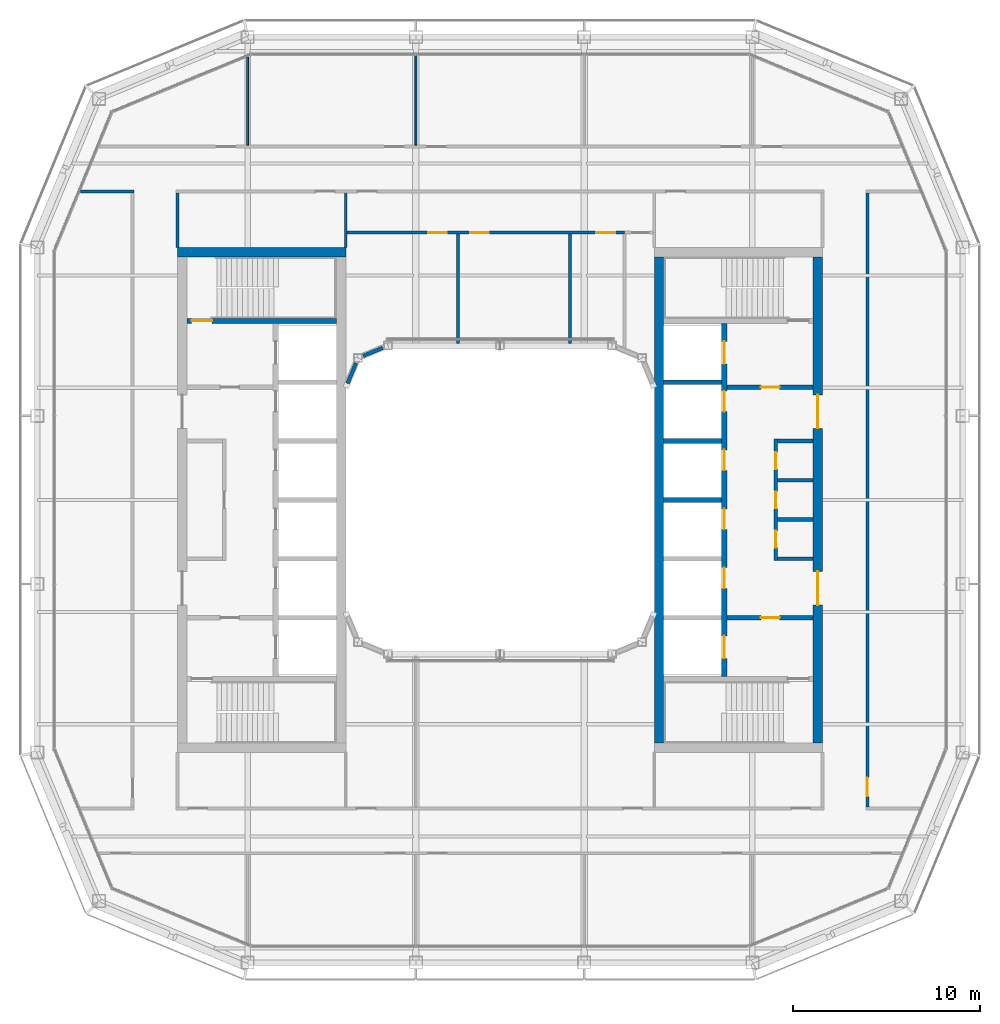
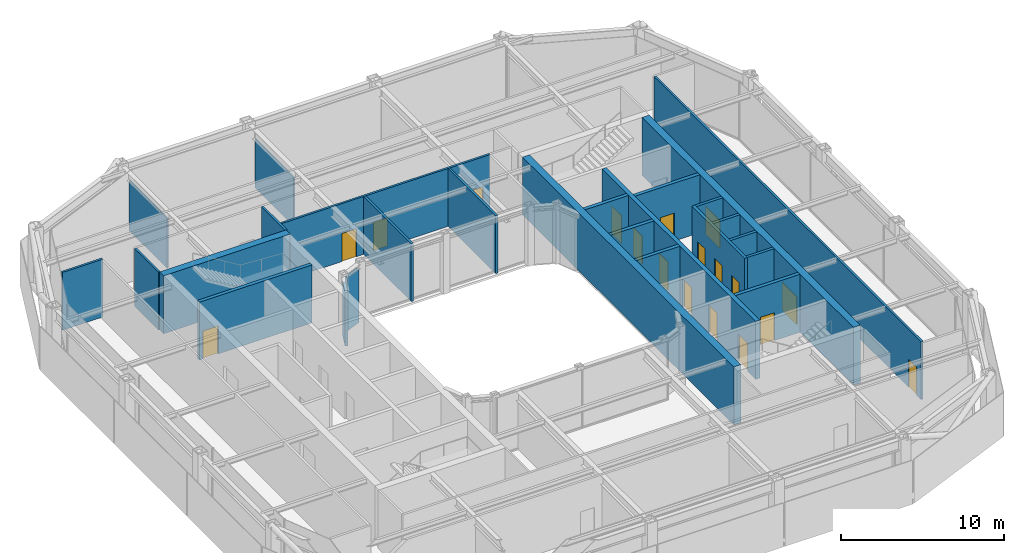
# One storey, part 12 of 18: 26 walls, 18 doors, 18 openings.
"""IFC4 building model written with IfcOpenShell, lengths in metres."""

from ifc_helpers import new_model, si_unit, direction, frame, frame_2d, origin, place, context, subcontext, project, spatial, rectangle, extrude, material, layer, layer_set, type_object, element, fill, save


model = new_model("IFC4")

# Units and contexts
model_context = context("Model", 3, precision=1e-05, world=origin(), true_north=direction((0.0, 1.0)))
body_context = subcontext(model_context, "Body", "Model", "MODEL_VIEW")
ifc_project = project(units=[si_unit("LENGTHUNIT", "METRE"), si_unit("AREAUNIT", "SQUARE_METRE"), si_unit("VOLUMEUNIT", "CUBIC_METRE"), si_unit("PLANEANGLEUNIT", "RADIAN"), si_unit("MASSUNIT", "GRAM", prefix="KILO")], contexts=[model_context])

# Site, building, storey
site_placement = place(None, origin())
site = spatial("IfcSite", under=ifc_project, at=site_placement, CompositionType="ELEMENT")
building_placement = place(site_placement, origin())
building = spatial("IfcBuilding", under=site, at=building_placement, Name="Siwar Civic Tower", CompositionType="ELEMENT")
storey_placement = place(building_placement, frame((0.0, 0.0, 321.199951171875)))
storey = spatial("IfcBuildingStorey", under=building, at=storey_placement, Name="L69", CompositionType="ELEMENT", Elevation=321.199951171875)

# Wall, openings, doors
ifc_material_1 = material(Name="Gypsum board on steel studs", Category="steel")
ifc_layer_1 = layer(ifc_material_1, 0.199951171875)
ifc_layer_set_1 = layer_set([ifc_layer_1], Name="Gypsum board on steel studs")
wall_type_1 = type_object("IfcWallType", Name="CORE-PARTITION-200", PredefinedType="PARTITIONING", material=ifc_layer_set_1)
wall_1_placement = place(storey_placement, frame((14.75, -3.25, 0.0), z_axis=(0.0, 0.0, 1.0), x_axis=(0.0, 1.0, 0.0)))
wall_1 = element("IfcWall", 1, at=wall_1_placement, inside=storey, type_object=wall_type_1, Name="Core partition E", PredefinedType="PARTITIONING", context=body_context, shape_type="SweptSolid", body=[
    extrude(rectangle(XDim=6.5, YDim=0.199951171875, at=frame_2d((3.25, 0.0))), origin(), (0.0, 0.0, 1.0), 4.35009765625),
])
opening_1_placement = place(wall_1_placement, frame((0.699951171875, 0.0, 0.0)))
opening_1 = element("IfcOpeningElement", 2, at=opening_1_placement, cuts=wall_1, Name="Opening L69-CE13", PredefinedType="OPENING", context=body_context, shape_type="SweptSolid", body=[
    extrude(rectangle(XDim=0.89990234375, YDim=2.10009765625, at=frame_2d((0.449951171875, 1.050048828125))), frame((0.0, 0.10986328125, 0.0), z_axis=(0.0, -1.0, 0.0), x_axis=(1.0, 0.0, 0.0)), (0.0, 0.0, 1.0), 0.219970703125),
])
opening_2_placement = place(wall_1_placement, frame((2.800048828125, 0.0, 0.0)))
opening_2 = element("IfcOpeningElement", 3, at=opening_2_placement, cuts=wall_1, Name="Opening L69-CE14", PredefinedType="OPENING", context=body_context, shape_type="SweptSolid", body=[
    extrude(rectangle(XDim=0.89990234375, YDim=2.10009765625, at=frame_2d((0.449951171875, 1.050048828125))), frame((0.0, 0.10986328125, 0.0), z_axis=(0.0, -1.0, 0.0), x_axis=(1.0, 0.0, 0.0)), (0.0, 0.0, 1.0), 0.219970703125),
])
opening_3_placement = place(wall_1_placement, frame((4.89990234375, 0.0, 0.0)))
opening_3 = element("IfcOpeningElement", 4, at=opening_3_placement, cuts=wall_1, Name="Opening L69-CE15", PredefinedType="OPENING", context=body_context, shape_type="SweptSolid", body=[
    extrude(rectangle(XDim=0.89990234375, YDim=2.10009765625, at=frame_2d((0.449951171875, 1.050048828125))), frame((0.0, 0.10986328125, 0.0), z_axis=(0.0, -1.0, 0.0), x_axis=(1.0, 0.0, 0.0)), (0.0, 0.0, 1.0), 0.219970703125),
])
ifc_material_2 = material(Name="Steel door leaf", Category="steel")
door_type_1 = type_object("IfcDoorType", Name="CORE-DOOR-ROOM", OperationType="SINGLE_SWING_LEFT", PredefinedType="DOOR", material=ifc_material_2)
door_1_placement = place(opening_1_placement, origin())
door_1 = element("IfcDoor", 5, at=door_1_placement, inside=storey, type_object=door_type_1, Name="Core room door L69-CE13", OperationType="SINGLE_SWING_LEFT", OverallHeight=2.10009765625, OverallWidth=0.89990234375, PredefinedType="DOOR", context=body_context, shape_type="SweptSolid", body=[
    extrude(rectangle(XDim=0.89990234375, YDim=2.10009765625, at=frame_2d((0.449951171875, 1.050048828125))), frame((0.0, 0.02490234375, 0.0), z_axis=(0.0, -1.0, 0.0), x_axis=(1.0, 0.0, 0.0)), (0.0, 0.0, 1.0), 0.050048828125),
])
fill(opening_1, door_1)
door_2_placement = place(opening_2_placement, origin())
door_2 = element("IfcDoor", 6, at=door_2_placement, inside=storey, type_object=door_type_1, Name="Core room door L69-CE14", OperationType="SINGLE_SWING_LEFT", OverallHeight=2.10009765625, OverallWidth=0.89990234375, PredefinedType="DOOR", context=body_context, shape_type="SweptSolid", body=[
    extrude(rectangle(XDim=0.89990234375, YDim=2.10009765625, at=frame_2d((0.449951171875, 1.050048828125))), frame((0.0, 0.02490234375, 0.0), z_axis=(0.0, -1.0, 0.0), x_axis=(1.0, 0.0, 0.0)), (0.0, 0.0, 1.0), 0.050048828125),
])
fill(opening_2, door_2)
door_3_placement = place(opening_3_placement, origin())
door_3 = element("IfcDoor", 7, at=door_3_placement, inside=storey, type_object=door_type_1, Name="Core room door L69-CE15", OperationType="SINGLE_SWING_LEFT", OverallHeight=2.10009765625, OverallWidth=0.89990234375, PredefinedType="DOOR", context=body_context, shape_type="SweptSolid", body=[
    extrude(rectangle(XDim=0.89990234375, YDim=2.10009765625, at=frame_2d((0.449951171875, 1.050048828125))), frame((0.0, 0.02490234375, 0.0), z_axis=(0.0, -1.0, 0.0), x_axis=(1.0, 0.0, 0.0)), (0.0, 0.0, 1.0), 0.050048828125),
])
fill(opening_3, door_3)

# Walls
for number, where, z_axis, x_axis, name in (
    (8, (14.85009765625, 3.14990234375, 0.0), (0.0, 0.0, 1.0), (1.0, 0.0, 0.0), "Core partition E"),
    (9, (14.85009765625, -3.14990234375, 0.0), (0.0, 0.0, 1.0), (1.0, 0.0, 0.0), "Core partition E"),
    (10, (14.85009765625, -1.050048828125, 0.0), (0.0, 0.0, 1.0), (1.0, 0.0, 0.0), "Core partition E"),
    (11, (14.85009765625, 1.050048828125, 0.0), (0.0, 0.0, 1.0), (1.0, 0.0, 0.0), "Core partition E"),
):
    element("IfcWall", number, at=place(storey_placement, frame(where, z_axis=z_axis, x_axis=x_axis)), inside=storey, type_object=wall_type_1, Name=name, PredefinedType="PARTITIONING", context=body_context, shape_type="SweptSolid", body=[
        extrude(rectangle(XDim=1.89990234375, YDim=0.199951171875, at=frame_2d((0.949951171875, 0.0))), origin(), (0.0, 0.0, 1.0), 4.35009765625),
    ])

# Wall, opening, door
ifc_material_3 = material(Name="Concrete C60/75", Category="concrete")
ifc_layer_2 = layer(ifc_material_3, 0.25)
ifc_layer_set_2 = layer_set([ifc_layer_2], Name="Concrete C60/75")
wall_type_2 = type_object("IfcWallType", Name="CORE-WALL-RC250", PredefinedType="SHEAR", material=ifc_layer_set_2)
wall_2_placement = place(storey_placement, frame((-8.75, 9.574951171875, 0.0), z_axis=(0.0, 0.0, 1.0), x_axis=(-1.0, 0.0, 0.0)))
wall_2 = element("IfcWall", 12, at=wall_2_placement, inside=storey, type_object=wall_type_2, Name="Core wall W", PredefinedType="SHEAR", context=body_context, shape_type="SweptSolid", body=[
    extrude(rectangle(XDim=8.0, YDim=0.25, at=frame_2d((4.0, 0.0))), origin(), (0.0, 0.0, 1.0), 4.35009765625),
])
opening_4_placement = place(wall_2_placement, frame((6.64990234375, 0.0, 0.0)))
opening_4 = element("IfcOpeningElement", 13, at=opening_4_placement, cuts=wall_2, Name="Opening L69-CW03", PredefinedType="OPENING", context=body_context, shape_type="SweptSolid", body=[
    extrude(rectangle(XDim=1.10009765625, YDim=2.10009765625, at=frame_2d((0.550048828125, 1.050048828125))), frame((0.0, 0.135009765625, 0.0), z_axis=(0.0, -1.0, 0.0), x_axis=(1.0, 0.0, 0.0)), (0.0, 0.0, 1.0), 0.27001953125),
])
ifc_material_4 = material(Name="Steel door leaf", Category="steel")
door_type_2 = type_object("IfcDoorType", Name="CORE-DOOR-FD60S", OperationType="SINGLE_SWING_LEFT", PredefinedType="DOOR", material=ifc_material_4)
door_4_placement = place(opening_4_placement, origin())
door_4 = element("IfcDoor", 14, at=door_4_placement, inside=storey, type_object=door_type_2, Name="Stair door L69-CW03", OperationType="SINGLE_SWING_RIGHT", OverallHeight=2.10009765625, OverallWidth=1.10009765625, PredefinedType="DOOR", context=body_context, shape_type="SweptSolid", body=[
    extrude(rectangle(XDim=1.10009765625, YDim=2.10009765625, at=frame_2d((0.550048828125, 1.050048828125))), frame((0.0, 0.02490234375, 0.0), z_axis=(0.0, -1.0, 0.0), x_axis=(1.0, 0.0, 0.0)), (0.0, 0.0, 1.0), 0.050048828125),
])
fill(opening_4, door_4)

wall_3_placement = place(storey_placement, frame((12.14990234375, 6.02490234375, 0.0), z_axis=(0.0, 0.0, 1.0), x_axis=(1.0, 0.0, 0.0)))
wall_3 = element("IfcWall", 15, at=wall_3_placement, inside=storey, type_object=wall_type_2, Name="Core wall E", PredefinedType="SHEAR", context=body_context, shape_type="SweptSolid", body=[
    extrude(rectangle(XDim=4.60009765625, YDim=0.25, at=frame_2d((2.300048828125, 0.0))), origin(), (0.0, 0.0, 1.0), 4.35009765625),
])
opening_5_placement = place(wall_3_placement, frame((1.800048828125, 0.0, 0.0)))
opening_5 = element("IfcOpeningElement", 16, at=opening_5_placement, cuts=wall_3, Name="Opening L69-CE01", PredefinedType="OPENING", context=body_context, shape_type="SweptSolid", body=[
    extrude(rectangle(XDim=1.0, YDim=2.10009765625, at=frame_2d((0.5, 1.050048828125))), frame((0.0, 0.135009765625, 0.0), z_axis=(0.0, -1.0, 0.0), x_axis=(1.0, 0.0, 0.0)), (0.0, 0.0, 1.0), 0.27001953125),
])
ifc_material_5 = material(Name="Steel door leaf", Category="steel")
door_type_3 = type_object("IfcDoorType", Name="CORE-DOOR-FD30S", OperationType="SINGLE_SWING_LEFT", PredefinedType="DOOR", material=ifc_material_5)
door_5_placement = place(opening_5_placement, origin())
door_5 = element("IfcDoor", 17, at=door_5_placement, inside=storey, type_object=door_type_3, Name="Firefighting lobby door L69-CE01", OperationType="SINGLE_SWING_RIGHT", OverallHeight=2.10009765625, OverallWidth=1.0, PredefinedType="DOOR", context=body_context, shape_type="SweptSolid", body=[
    extrude(rectangle(XDim=1.0, YDim=2.10009765625, at=frame_2d((0.5, 1.050048828125))), frame((0.0, 0.02490234375, 0.0), z_axis=(0.0, -1.0, 0.0), x_axis=(1.0, 0.0, 0.0)), (0.0, 0.0, 1.0), 0.050048828125),
])
fill(opening_5, door_5)

wall_4_placement = place(storey_placement, frame((12.14990234375, -6.300048828125, 0.0), z_axis=(0.0, 0.0, 1.0), x_axis=(1.0, 0.0, 0.0)))
wall_4 = element("IfcWall", 18, at=wall_4_placement, inside=storey, type_object=wall_type_2, Name="Core wall E", PredefinedType="SHEAR", context=body_context, shape_type="SweptSolid", body=[
    extrude(rectangle(XDim=4.60009765625, YDim=0.25, at=frame_2d((2.300048828125, 0.0))), origin(), (0.0, 0.0, 1.0), 4.35009765625),
])
opening_6_placement = place(wall_4_placement, frame((1.800048828125, 0.0, 0.0)))
opening_6 = element("IfcOpeningElement", 19, at=opening_6_placement, cuts=wall_4, Name="Opening L69-CE02", PredefinedType="OPENING", context=body_context, shape_type="SweptSolid", body=[
    extrude(rectangle(XDim=1.0, YDim=2.10009765625, at=frame_2d((0.5, 1.050048828125))), frame((0.0, 0.135009765625, 0.0), z_axis=(0.0, -1.0, 0.0), x_axis=(1.0, 0.0, 0.0)), (0.0, 0.0, 1.0), 0.27001953125),
])
door_6_placement = place(opening_6_placement, origin())
door_6 = element("IfcDoor", 20, at=door_6_placement, inside=storey, type_object=door_type_3, Name="Service lobby door L69-CE02", OperationType="SINGLE_SWING_LEFT", OverallHeight=2.10009765625, OverallWidth=1.0, PredefinedType="DOOR", context=body_context, shape_type="SweptSolid", body=[
    extrude(rectangle(XDim=1.0, YDim=2.10009765625, at=frame_2d((0.5, 1.050048828125))), frame((0.0, 0.02490234375, 0.0), z_axis=(0.0, -1.0, 0.0), x_axis=(1.0, 0.0, 0.0)), (0.0, 0.0, 1.0), 0.050048828125),
])
fill(opening_6, door_6)

# Walls
for number, where, z_axis, x_axis, name in (
    (21, (8.75, 0.0, 0.0), (0.0, 0.0, 1.0), (1.0, 0.0, 0.0), "Core wall E"),
    (22, (8.75, 3.14990234375, 0.0), (0.0, 0.0, 1.0), (1.0, 0.0, 0.0), "Core wall E"),
    (23, (8.75, 6.300048828125, 0.0), (0.0, 0.0, 1.0), (1.0, 0.0, 0.0), "Core wall E"),
):
    element("IfcWall", number, at=place(storey_placement, frame(where, z_axis=z_axis, x_axis=x_axis)), inside=storey, type_object=wall_type_2, Name=name, PredefinedType="SHEAR", context=body_context, shape_type="SweptSolid", body=[
        extrude(rectangle(XDim=3.10009765625, YDim=0.25, at=frame_2d((1.550048828125, 0.0))), origin(), (0.0, 0.0, 1.0), 4.35009765625),
    ])

# Wall, openings, doors
ifc_material_6 = material(Name="Concrete C60/75", Category="concrete")
ifc_layer_3 = layer(ifc_material_6, 0.300048828125)
ifc_layer_set_3 = layer_set([ifc_layer_3], Name="Concrete C60/75")
wall_type_3 = type_object("IfcWallType", Name="CORE-WALL-RC300", PredefinedType="SHEAR", material=ifc_layer_set_3)
wall_5_placement = place(storey_placement, frame((12.0, -9.449951171875, 0.0), z_axis=(0.0, 0.0, 1.0), x_axis=(0.0, 1.0, 0.0)))
wall_5 = element("IfcWall", 24, at=wall_5_placement, inside=storey, type_object=wall_type_3, Name="Core wall E", PredefinedType="SHEAR", context=body_context, shape_type="SweptSolid", body=[
    extrude(rectangle(XDim=18.89990234375, YDim=0.300048828125, at=frame_2d((9.449951171875, 0.0))), origin(), (0.0, 0.0, 1.0), 4.35009765625),
])
opening_7_placement = place(wall_5_placement, frame((4.72509765625, 0.0, 0.0)))
opening_7 = element("IfcOpeningElement", 25, at=opening_7_placement, cuts=wall_5, Name="Opening L69-CE07", PredefinedType="OPENING", context=body_context, shape_type="SweptSolid", body=[
    extrude(rectangle(XDim=1.10009765625, YDim=2.10009765625, at=frame_2d((0.550048828125, 1.050048828125))), frame((0.0, 0.16015625, 0.0), z_axis=(0.0, -1.0, 0.0), x_axis=(1.0, 0.0, 0.0)), (0.0, 0.0, 1.0), 0.320068359375),
])
opening_8_placement = place(wall_5_placement, frame((7.875, 0.0, 0.0)))
opening_8 = element("IfcOpeningElement", 26, at=opening_8_placement, cuts=wall_5, Name="Opening L69-CE08", PredefinedType="OPENING", context=body_context, shape_type="SweptSolid", body=[
    extrude(rectangle(XDim=1.10009765625, YDim=2.10009765625, at=frame_2d((0.550048828125, 1.050048828125))), frame((0.0, 0.16015625, 0.0), z_axis=(0.0, -1.0, 0.0), x_axis=(1.0, 0.0, 0.0)), (0.0, 0.0, 1.0), 0.320068359375),
])
opening_9_placement = place(wall_5_placement, frame((11.02490234375, 0.0, 0.0)))
opening_9 = element("IfcOpeningElement", 27, at=opening_9_placement, cuts=wall_5, Name="Opening L69-CE09", PredefinedType="OPENING", context=body_context, shape_type="SweptSolid", body=[
    extrude(rectangle(XDim=1.10009765625, YDim=2.10009765625, at=frame_2d((0.550048828125, 1.050048828125))), frame((0.0, 0.16015625, 0.0), z_axis=(0.0, -1.0, 0.0), x_axis=(1.0, 0.0, 0.0)), (0.0, 0.0, 1.0), 0.320068359375),
])
opening_10_placement = place(wall_5_placement, frame((14.175048828125, 0.0, 0.0)))
opening_10 = element("IfcOpeningElement", 28, at=opening_10_placement, cuts=wall_5, Name="Opening L69-CE10", PredefinedType="OPENING", context=body_context, shape_type="SweptSolid", body=[
    extrude(rectangle(XDim=1.10009765625, YDim=2.10009765625, at=frame_2d((0.550048828125, 1.050048828125))), frame((0.0, 0.16015625, 0.0), z_axis=(0.0, -1.0, 0.0), x_axis=(1.0, 0.0, 0.0)), (0.0, 0.0, 1.0), 0.320068359375),
])
opening_11_placement = place(wall_5_placement, frame((16.72509765625, 0.0, 0.0)))
opening_11 = element("IfcOpeningElement", 29, at=opening_11_placement, cuts=wall_5, Name="Opening L69-CE11", PredefinedType="OPENING", context=body_context, shape_type="SweptSolid", body=[
    extrude(rectangle(XDim=1.199951171875, YDim=2.10009765625, at=frame_2d((0.60009765625, 1.050048828125))), frame((0.0, 0.16015625, 0.0), z_axis=(0.0, -1.0, 0.0), x_axis=(1.0, 0.0, 0.0)), (0.0, 0.0, 1.0), 0.320068359375),
])
opening_12_placement = place(wall_5_placement, frame((0.97509765625, 0.0, 0.0)))
opening_12 = element("IfcOpeningElement", 30, at=opening_12_placement, cuts=wall_5, Name="Opening L69-CE12", PredefinedType="OPENING", context=body_context, shape_type="SweptSolid", body=[
    extrude(rectangle(XDim=1.199951171875, YDim=2.10009765625, at=frame_2d((0.60009765625, 1.050048828125))), frame((0.0, 0.16015625, 0.0), z_axis=(0.0, -1.0, 0.0), x_axis=(1.0, 0.0, 0.0)), (0.0, 0.0, 1.0), 0.320068359375),
])
ifc_material_7 = material(Name="Steel door leaf", Category="steel")
door_type_4 = type_object("IfcDoorType", Name="CORE-DOOR-LD", OperationType="DOUBLE_DOOR_SLIDING", PredefinedType="DOOR", material=ifc_material_7)
door_7_placement = place(opening_7_placement, origin())
door_7 = element("IfcDoor", 31, at=door_7_placement, inside=storey, type_object=door_type_4, Name="Landing door HR5 L69-CE07", OperationType="DOUBLE_DOOR_SLIDING", OverallHeight=2.10009765625, OverallWidth=1.10009765625, PredefinedType="DOOR", context=body_context, shape_type="SweptSolid", body=[
    extrude(rectangle(XDim=1.10009765625, YDim=2.10009765625, at=frame_2d((0.550048828125, 1.050048828125))), frame((0.0, 0.02490234375, 0.0), z_axis=(0.0, -1.0, 0.0), x_axis=(1.0, 0.0, 0.0)), (0.0, 0.0, 1.0), 0.050048828125),
])
fill(opening_7, door_7)
door_8_placement = place(opening_8_placement, origin())
door_8 = element("IfcDoor", 32, at=door_8_placement, inside=storey, type_object=door_type_4, Name="Landing door HR6 L69-CE08", OperationType="DOUBLE_DOOR_SLIDING", OverallHeight=2.10009765625, OverallWidth=1.10009765625, PredefinedType="DOOR", context=body_context, shape_type="SweptSolid", body=[
    extrude(rectangle(XDim=1.10009765625, YDim=2.10009765625, at=frame_2d((0.550048828125, 1.050048828125))), frame((0.0, 0.02490234375, 0.0), z_axis=(0.0, -1.0, 0.0), x_axis=(1.0, 0.0, 0.0)), (0.0, 0.0, 1.0), 0.050048828125),
])
fill(opening_8, door_8)
door_9_placement = place(opening_9_placement, origin())
door_9 = element("IfcDoor", 33, at=door_9_placement, inside=storey, type_object=door_type_4, Name="Landing door HR7 L69-CE09", OperationType="DOUBLE_DOOR_SLIDING", OverallHeight=2.10009765625, OverallWidth=1.10009765625, PredefinedType="DOOR", context=body_context, shape_type="SweptSolid", body=[
    extrude(rectangle(XDim=1.10009765625, YDim=2.10009765625, at=frame_2d((0.550048828125, 1.050048828125))), frame((0.0, 0.02490234375, 0.0), z_axis=(0.0, -1.0, 0.0), x_axis=(1.0, 0.0, 0.0)), (0.0, 0.0, 1.0), 0.050048828125),
])
fill(opening_9, door_9)
door_10_placement = place(opening_10_placement, origin())
door_10 = element("IfcDoor", 34, at=door_10_placement, inside=storey, type_object=door_type_4, Name="Landing door HR8 L69-CE10", OperationType="DOUBLE_DOOR_SLIDING", OverallHeight=2.10009765625, OverallWidth=1.10009765625, PredefinedType="DOOR", context=body_context, shape_type="SweptSolid", body=[
    extrude(rectangle(XDim=1.10009765625, YDim=2.10009765625, at=frame_2d((0.550048828125, 1.050048828125))), frame((0.0, 0.02490234375, 0.0), z_axis=(0.0, -1.0, 0.0), x_axis=(1.0, 0.0, 0.0)), (0.0, 0.0, 1.0), 0.050048828125),
])
fill(opening_10, door_10)
ifc_material_8 = material(Name="Steel door leaf", Category="steel")
door_type_5 = type_object("IfcDoorType", Name="CORE-DOOR-LDW", OperationType="DOUBLE_DOOR_SLIDING", PredefinedType="DOOR", material=ifc_material_8)
door_11_placement = place(opening_11_placement, origin())
door_11 = element("IfcDoor", 35, at=door_11_placement, inside=storey, type_object=door_type_5, Name="Landing door FF2 L69-CE11", OperationType="DOUBLE_DOOR_SLIDING", OverallHeight=2.10009765625, OverallWidth=1.199951171875, PredefinedType="DOOR", context=body_context, shape_type="SweptSolid", body=[
    extrude(rectangle(XDim=1.199951171875, YDim=2.10009765625, at=frame_2d((0.60009765625, 1.050048828125))), frame((0.0, 0.02490234375, 0.0), z_axis=(0.0, -1.0, 0.0), x_axis=(1.0, 0.0, 0.0)), (0.0, 0.0, 1.0), 0.050048828125),
])
fill(opening_11, door_11)
door_12_placement = place(opening_12_placement, origin())
door_12 = element("IfcDoor", 36, at=door_12_placement, inside=storey, type_object=door_type_5, Name="Landing door SV2 L69-CE12", OperationType="DOUBLE_DOOR_SLIDING", OverallHeight=2.10009765625, OverallWidth=1.199951171875, PredefinedType="DOOR", context=body_context, shape_type="SweptSolid", body=[
    extrude(rectangle(XDim=1.199951171875, YDim=2.10009765625, at=frame_2d((0.60009765625, 1.050048828125))), frame((0.0, 0.02490234375, 0.0), z_axis=(0.0, -1.0, 0.0), x_axis=(1.0, 0.0, 0.0)), (0.0, 0.0, 1.0), 0.050048828125),
])
fill(opening_12, door_12)

# Wall
ifc_material_9 = material(Name="Concrete C60/75", Category="concrete")
ifc_layer_4 = layer(ifc_material_9, 0.5)
ifc_layer_set_4 = layer_set([ifc_layer_4], Name="Concrete C60/75")
wall_type_4 = type_object("IfcWallType", Name="CORE-WALL-RC500", PredefinedType="SHEAR", material=ifc_layer_set_4)
wall_6_placement = place(storey_placement, frame((-8.25, 13.25, 0.0), z_axis=(0.0, 0.0, 1.0), x_axis=(-1.0, 0.0, 0.0)))
element("IfcWall", 37, at=wall_6_placement, inside=storey, type_object=wall_type_4, Name="Core wall W", PredefinedType="SHEAR", context=body_context, shape_type="SweptSolid", body=[
    extrude(rectangle(XDim=9.0, YDim=0.5, at=frame_2d((4.5, 0.0))), origin(), (0.0, 0.0, 1.0), 4.35009765625),
])

# Wall, openings, doors
wall_7_placement = place(storey_placement, frame((17.0, -13.0, 0.0), z_axis=(0.0, 0.0, 1.0), x_axis=(0.0, 1.0, 0.0)))
wall_7 = element("IfcWall", 38, at=wall_7_placement, inside=storey, type_object=wall_type_4, Name="Core wall E", PredefinedType="SHEAR", context=body_context, shape_type="SweptSolid", body=[
    extrude(rectangle(XDim=26.0, YDim=0.5, at=frame_2d((13.0, 0.0))), origin(), (0.0, 0.0, 1.0), 4.35009765625),
])
opening_13_placement = place(wall_7_placement, frame((16.824951171875, 0.0, 0.0)))
opening_13 = element("IfcOpeningElement", 39, at=opening_13_placement, cuts=wall_7, Name="Opening L69-CE05", PredefinedType="OPENING", context=body_context, shape_type="SweptSolid", body=[
    extrude(rectangle(XDim=1.800048828125, YDim=2.10009765625, at=frame_2d((0.89990234375, 1.050048828125))), frame((0.0, 0.260009765625, 0.0), z_axis=(0.0, -1.0, 0.0), x_axis=(1.0, 0.0, 0.0)), (0.0, 0.0, 1.0), 0.52001953125),
])
opening_14_placement = place(wall_7_placement, frame((7.375, 0.0, 0.0)))
opening_14 = element("IfcOpeningElement", 40, at=opening_14_placement, cuts=wall_7, Name="Opening L69-CE06", PredefinedType="OPENING", context=body_context, shape_type="SweptSolid", body=[
    extrude(rectangle(XDim=1.800048828125, YDim=2.10009765625, at=frame_2d((0.89990234375, 1.050048828125))), frame((0.0, 0.260009765625, 0.0), z_axis=(0.0, -1.0, 0.0), x_axis=(1.0, 0.0, 0.0)), (0.0, 0.0, 1.0), 0.52001953125),
])
ifc_material_10 = material(Name="Steel door leaf", Category="steel")
door_type_6 = type_object("IfcDoorType", Name="CORE-DOOR-PORT", OperationType="DOUBLE_DOOR_DOUBLE_SWING", PredefinedType="DOOR", material=ifc_material_10)
door_13_placement = place(opening_13_placement, origin())
door_13 = element("IfcDoor", 41, at=door_13_placement, inside=storey, type_object=door_type_6, Name="Core entrance door L69-CE05", OperationType="DOUBLE_DOOR_DOUBLE_SWING", OverallHeight=2.10009765625, OverallWidth=1.800048828125, PredefinedType="DOOR", context=body_context, shape_type="SweptSolid", body=[
    extrude(rectangle(XDim=1.800048828125, YDim=2.10009765625, at=frame_2d((0.89990234375, 1.050048828125))), frame((0.0, 0.02490234375, 0.0), z_axis=(0.0, -1.0, 0.0), x_axis=(1.0, 0.0, 0.0)), (0.0, 0.0, 1.0), 0.050048828125),
])
fill(opening_13, door_13)
door_14_placement = place(opening_14_placement, origin())
door_14 = element("IfcDoor", 42, at=door_14_placement, inside=storey, type_object=door_type_6, Name="Core entrance door L69-CE06", OperationType="DOUBLE_DOOR_DOUBLE_SWING", OverallHeight=2.10009765625, OverallWidth=1.800048828125, PredefinedType="DOOR", context=body_context, shape_type="SweptSolid", body=[
    extrude(rectangle(XDim=1.800048828125, YDim=2.10009765625, at=frame_2d((0.89990234375, 1.050048828125))), frame((0.0, 0.02490234375, 0.0), z_axis=(0.0, -1.0, 0.0), x_axis=(1.0, 0.0, 0.0)), (0.0, 0.0, 1.0), 0.050048828125),
])
fill(opening_14, door_14)

# Wall
ifc_material_11 = material(Name="Concrete C60/75", Category="concrete")
ifc_layer_5 = layer(ifc_material_11, 0.5)
ifc_layer_set_5 = layer_set([ifc_layer_5], Name="Concrete C60/75")
wall_type_5 = type_object("IfcWallType", Name="CORE-WALL-RC500-EXT", PredefinedType="SHEAR", material=ifc_layer_set_5)
wall_8_placement = place(storey_placement, frame((8.5, -13.0, 0.0), z_axis=(0.0, 0.0, 1.0), x_axis=(0.0, 1.0, 0.0)))
element("IfcWall", 43, at=wall_8_placement, inside=storey, type_object=wall_type_5, Name="Core wall E", PredefinedType="SHEAR", context=body_context, shape_type="SweptSolid", body=[
    extrude(rectangle(XDim=26.0, YDim=0.5, at=frame_2d((13.0, 0.0))), origin(), (0.0, 0.0, 1.0), 4.35009765625),
])

# Wall, openings, doors
ifc_material_12 = material(Name="Gypsum board on steel studs", Category="steel")
ifc_layer_6 = layer(ifc_material_12, 0.14990234375)
ifc_layer_set_6 = layer_set([ifc_layer_6], Name="Gypsum board on steel studs")
wall_type_6 = type_object("IfcWallType", Name="CORRIDOR PARTITION 150 EI 30", PredefinedType="PARTITIONING", material=ifc_layer_set_6)
wall_9_placement = place(storey_placement, frame((-8.175048828125, 14.300048828125, 0.0), z_axis=(0.0, 0.0, 1.0), x_axis=(1.0, 0.0, 0.0)))
wall_9 = element("IfcWall", 44, at=wall_9_placement, inside=storey, type_object=wall_type_6, Name="L69/wall/P05", PredefinedType="PARTITIONING", context=body_context, shape_type="SweptSolid", body=[
    extrude(rectangle(XDim=14.8349609375, YDim=0.14990234375, at=frame_2d((7.41748046875, 0.0))), origin(), (0.0, 0.0, 1.0), 4.35009765625),
])
opening_15_placement = place(wall_9_placement, frame((4.324951171875, 0.0, 0.0)))
opening_15 = element("IfcOpeningElement", 45, at=opening_15_placement, cuts=wall_9, Name="Opening D3", PredefinedType="OPENING", context=body_context, shape_type="SweptSolid", body=[
    extrude(rectangle(XDim=1.0, YDim=2.10009765625, at=frame_2d((0.5, 1.050048828125))), frame((0.0, 0.0849609375, 0.0), z_axis=(0.0, -1.0, 0.0), x_axis=(1.0, 0.0, 0.0)), (0.0, 0.0, 1.0), 0.169921875),
])
opening_16_placement = place(wall_9_placement, frame((6.574951171875, 0.0, 0.0)))
opening_16 = element("IfcOpeningElement", 46, at=opening_16_placement, cuts=wall_9, Name="Opening D3", PredefinedType="OPENING", context=body_context, shape_type="SweptSolid", body=[
    extrude(rectangle(XDim=1.0, YDim=2.10009765625, at=frame_2d((0.5, 1.050048828125))), frame((0.0, 0.0849609375, 0.0), z_axis=(0.0, -1.0, 0.0), x_axis=(1.0, 0.0, 0.0)), (0.0, 0.0, 1.0), 0.169921875),
])
opening_17_placement = place(wall_9_placement, frame((13.324951171875, 0.0, 0.0)))
opening_17 = element("IfcOpeningElement", 47, at=opening_17_placement, cuts=wall_9, Name="Opening D3", PredefinedType="OPENING", context=body_context, shape_type="SweptSolid", body=[
    extrude(rectangle(XDim=1.0, YDim=2.10009765625, at=frame_2d((0.5, 1.050048828125))), frame((0.0, 0.0849609375, 0.0), z_axis=(0.0, -1.0, 0.0), x_axis=(1.0, 0.0, 0.0)), (0.0, 0.0, 1.0), 0.169921875),
])
ifc_material_13 = material(Name="Timber, painted", Category="wood")
door_type_7 = type_object("IfcDoorType", Name="DOOR 1000 X 2100 WC", OperationType="SINGLE_SWING_LEFT", PredefinedType="DOOR", material=ifc_material_13)
door_15_placement = place(opening_15_placement, origin())
door_15 = element("IfcDoor", 48, at=door_15_placement, inside=storey, type_object=door_type_7, Name="L69-D12", OperationType="SINGLE_SWING_RIGHT", OverallHeight=2.10009765625, OverallWidth=1.0, PredefinedType="DOOR", context=body_context, shape_type="SweptSolid", body=[
    extrude(rectangle(XDim=1.0, YDim=2.10009765625, at=frame_2d((0.5, 1.050048828125))), frame((0.0, 0.02490234375, 0.0), z_axis=(0.0, -1.0, 0.0), x_axis=(1.0, 0.0, 0.0)), (0.0, 0.0, 1.0), 0.050048828125),
])
fill(opening_15, door_15)
door_16_placement = place(opening_16_placement, origin())
door_16 = element("IfcDoor", 49, at=door_16_placement, inside=storey, type_object=door_type_7, Name="L69-D13", OperationType="SINGLE_SWING_LEFT", OverallHeight=2.10009765625, OverallWidth=1.0, PredefinedType="DOOR", context=body_context, shape_type="SweptSolid", body=[
    extrude(rectangle(XDim=1.0, YDim=2.10009765625, at=frame_2d((0.5, 1.050048828125))), frame((0.0, 0.02490234375, 0.0), z_axis=(0.0, -1.0, 0.0), x_axis=(1.0, 0.0, 0.0)), (0.0, 0.0, 1.0), 0.050048828125),
])
fill(opening_16, door_16)
door_17_placement = place(opening_17_placement, origin())
door_17 = element("IfcDoor", 50, at=door_17_placement, inside=storey, type_object=door_type_7, Name="L69-D14", OperationType="SINGLE_SWING_RIGHT", OverallHeight=2.10009765625, OverallWidth=1.0, PredefinedType="DOOR", context=body_context, shape_type="SweptSolid", body=[
    extrude(rectangle(XDim=1.0, YDim=2.10009765625, at=frame_2d((0.5, 1.050048828125))), frame((0.0, 0.02490234375, 0.0), z_axis=(0.0, -1.0, 0.0), x_axis=(1.0, 0.0, 0.0)), (0.0, 0.0, 1.0), 0.050048828125),
])
fill(opening_17, door_17)

# Walls
wall_10_placement = place(storey_placement, frame((-22.43603515625, 16.5, 0.0), z_axis=(0.0, 0.0, 1.0), x_axis=(1.0, 0.0, 0.0)))
element("IfcWall", 51, at=wall_10_placement, inside=storey, type_object=wall_type_6, Name="L69/wall/P07", PredefinedType="PARTITIONING", context=body_context, shape_type="SweptSolid", body=[
    extrude(rectangle(XDim=2.861083984375, YDim=0.14990234375, at=frame_2d((1.4306640625, 0.0))), origin(), (0.0, 0.0, 1.0), 4.35009765625),
])
for number, where, z_axis, x_axis, name in (
    (52, (-17.25, 13.5, 0.0), (0.0, 0.0, 1.0), (0.0, 1.0, 0.0), "L69/wall/P13"),
    (53, (-8.25, 13.5, 0.0), (0.0, 0.0, 1.0), (0.0, 1.0, 0.0), "L69/wall/P17"),
):
    element("IfcWall", number, at=place(storey_placement, frame(where, z_axis=z_axis, x_axis=x_axis)), inside=storey, type_object=wall_type_6, Name=name, PredefinedType="PARTITIONING", context=body_context, shape_type="SweptSolid", body=[
        extrude(rectangle(XDim=2.925048828125, YDim=0.14990234375, at=frame_2d((1.46240234375, 0.0))), origin(), (0.0, 0.0, 1.0), 4.35009765625),
    ])
for number, where, z_axis, x_axis, name in (
    (54, (-2.25, 8.3701171875, 0.0), (0.0, 0.0, 1.0), (0.0, 1.0, 0.0), "L69/wall/P21"),
    (55, (3.75, 8.3701171875, 0.0), (0.0, 0.0, 1.0), (0.0, 1.0, 0.0), "L69/wall/P22"),
):
    element("IfcWall", number, at=place(storey_placement, frame(where, z_axis=z_axis, x_axis=x_axis)), inside=storey, type_object=wall_type_6, Name=name, PredefinedType="PARTITIONING", context=body_context, shape_type="SweptSolid", body=[
        extrude(rectangle(XDim=5.85498046875, YDim=0.14990234375, at=frame_2d((2.927490234375, 0.0))), origin(), (0.0, 0.0, 1.0), 4.35009765625),
    ])

# Wall, opening, door
wall_11_placement = place(storey_placement, frame((19.64990234375, -16.425048828125, 0.0), z_axis=(0.0, 0.0, 1.0), x_axis=(0.0, 1.0, 0.0)))
wall_11 = element("IfcWall", 56, at=wall_11_placement, inside=storey, type_object=wall_type_6, Name="L69/wall/P33", PredefinedType="PARTITIONING", context=body_context, shape_type="SweptSolid", body=[
    extrude(rectangle(XDim=32.85009765625, YDim=0.14990234375, at=frame_2d((16.425048828125, 0.0))), origin(), (0.0, 0.0, 1.0), 4.35009765625),
])
opening_18_placement = place(wall_11_placement, frame((0.574951171875, 0.0, 0.0)))
opening_18 = element("IfcOpeningElement", 57, at=opening_18_placement, cuts=wall_11, Name="Opening D1", PredefinedType="OPENING", context=body_context, shape_type="SweptSolid", body=[
    extrude(rectangle(XDim=1.0, YDim=2.10009765625, at=frame_2d((0.5, 1.050048828125))), frame((0.0, 0.0849609375, 0.0), z_axis=(0.0, -1.0, 0.0), x_axis=(1.0, 0.0, 0.0)), (0.0, 0.0, 1.0), 0.169921875),
])
ifc_material_14 = material(Name="Timber, painted", Category="wood")
door_type_8 = type_object("IfcDoorType", Name="DOOR 1000 X 2100 FD30", OperationType="SINGLE_SWING_LEFT", PredefinedType="DOOR", material=ifc_material_14)
door_18_placement = place(opening_18_placement, origin())
door_18 = element("IfcDoor", 58, at=door_18_placement, inside=storey, type_object=door_type_8, Name="L69-D23", OperationType="SINGLE_SWING_LEFT", OverallHeight=2.10009765625, OverallWidth=1.0, PredefinedType="DOOR", context=body_context, shape_type="SweptSolid", body=[
    extrude(rectangle(XDim=1.0, YDim=2.10009765625, at=frame_2d((0.5, 1.050048828125))), frame((0.0, 0.02490234375, 0.0), z_axis=(0.0, -1.0, 0.0), x_axis=(1.0, 0.0, 0.0)), (0.0, 0.0, 1.0), 0.050048828125),
])
fill(opening_18, door_18)

# Walls
ifc_material_15 = material(Name="Aluminium clad insulated panel", Category="aluminium")
ifc_layer_7 = layer(ifc_material_15, 0.199951171875)
ifc_layer_set_7 = layer_set([ifc_layer_7], Name="Aluminium clad insulated panel")
wall_type_7 = type_object("IfcWallType", Name="ENV-WALL-WELL", PredefinedType="STANDARD", material=ifc_layer_set_7)
wall_12_placement = place(storey_placement, frame((-6.271484375, 8.137451171875, 0.0), z_axis=(0.0, 0.0, 1.0), x_axis=(-0.923864661962, -0.382719331074, 0.0)))
element("IfcWall", 59, at=wall_12_placement, inside=storey, type_object=wall_type_7, Name="Light well corner wall NW1", PredefinedType="STANDARD", context=body_context, shape_type="SweptSolid", body=[
    extrude(rectangle(XDim=1.13427734375, YDim=0.199951171875, at=frame_2d((0.567138671875, 0.0))), origin(), (0.0, 0.0, 1.0), 4.010009765625),
])
wall_13_placement = place(storey_placement, frame((-7.703369140625, 7.3193359375, 0.0), z_axis=(0.0, 0.0, 1.0), x_axis=(-0.382760542083, -0.92384758885, 0.0)))
element("IfcWall", 60, at=wall_13_placement, inside=storey, type_object=wall_type_7, Name="Light well corner wall NW2", PredefinedType="STANDARD", context=body_context, shape_type="SweptSolid", body=[
    extrude(rectangle(XDim=1.177978515625, YDim=0.199951171875, at=frame_2d((0.5888671875, 0.0))), origin(), (0.0, 0.0, 1.0), 4.010009765625),
])
ifc_material_16 = material(Name="Gypsum board on steel studs", Category="steel")
ifc_layer_8 = layer(ifc_material_16, 0.10009765625)
ifc_layer_set_8 = layer_set([ifc_layer_8], Name="Gypsum board on steel studs")
wall_type_8 = type_object("IfcWallType", Name="PARTITION 100 GYPSUM", PredefinedType="PARTITIONING", material=ifc_layer_set_8)
wall_14_placement = place(storey_placement, frame((-13.5, 18.97509765625, 0.0), z_axis=(0.0, 0.0, 1.0), x_axis=(0.0, 1.0, 0.0)))
element("IfcWall", 61, at=wall_14_placement, inside=storey, type_object=wall_type_8, Name="L69/wall/P15", PredefinedType="PARTITIONING", context=body_context, shape_type="SweptSolid", body=[
    extrude(rectangle(XDim=4.702880859375, YDim=0.10009765625, at=frame_2d((2.3515625, 0.0))), origin(), (0.0, 0.0, 1.0), 3.75),
])
wall_15_placement = place(storey_placement, frame((-4.5, 18.97509765625, 0.0), z_axis=(0.0, 0.0, 1.0), x_axis=(0.0, 1.0, 0.0)))
element("IfcWall", 62, at=wall_15_placement, inside=storey, type_object=wall_type_8, Name="L69/wall/P20", PredefinedType="PARTITIONING", context=body_context, shape_type="SweptSolid", body=[
    extrude(rectangle(XDim=4.784912109375, YDim=0.10009765625, at=frame_2d((2.392578125, 0.0))), origin(), (0.0, 0.0, 1.0), 3.650146484375),
])

save(model, "model.ifc")
